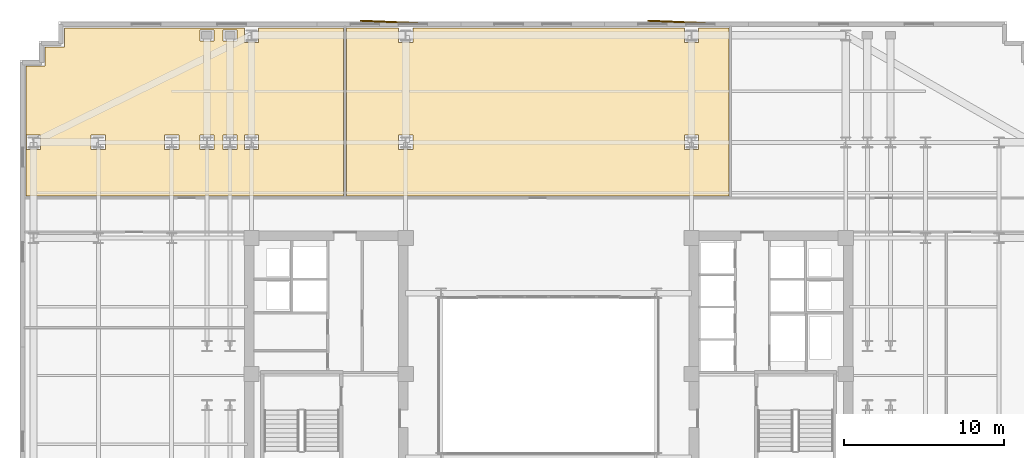
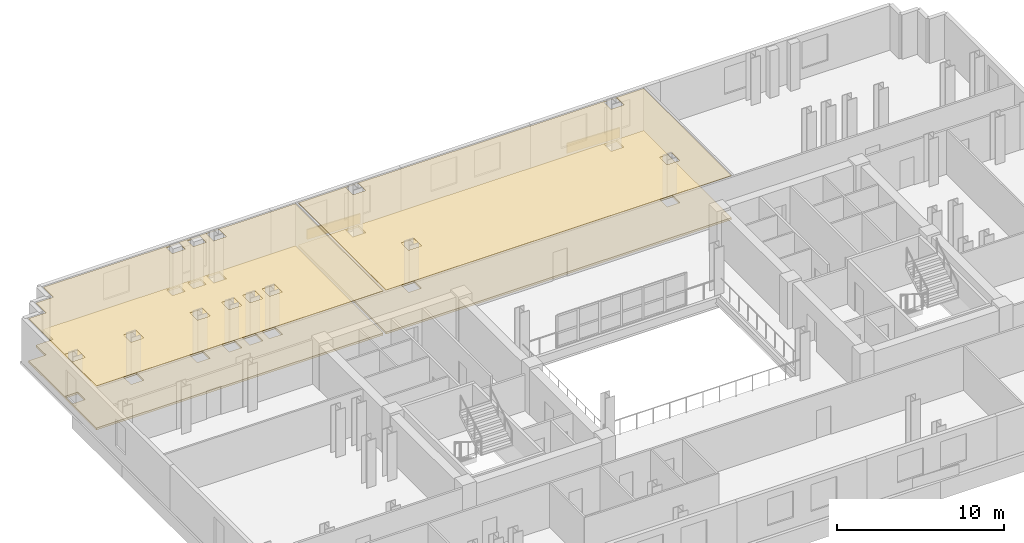
# One storey, part 12 of 12: 6 coverings.
"""IFC4 building model written with IfcOpenShell, lengths in metres."""

import ifcopenshell
import ifcopenshell.guid

model = None  # the IFC model being written
_history = None  # IfcOwnerHistory: only IFC2X3 demands one
_inside = {}  # id of a spatial element -> (the spatial element, [elements in it])
_under = {}  # id of a project, library or spatial element -> (it, [spatial elements below it])
_declared = {}  # id of a project -> (the project, [libraries it declares])
_typed = {}  # id of a type object -> (the type object, [elements of that type])
_made_of = {}  # id of a material, layer set ... -> (it, [elements and type objects made of it])


def new_model(schema):
    """Start an empty IFC model of exactly this schema.

    Asked for "IFC4X3", IfcOpenShell would pick the latest addendum, in which some entities
    have other attributes; the version numbers below select the first issue.
    IFC2X3 requires an IfcOwnerHistory on every rooted entity: one is made here for all.
    """
    global model, _history
    if schema == "IFC4X3":
        model = ifcopenshell.file(schema_version=(4, 3, 0, 0))
    else:
        model = ifcopenshell.file(schema=schema)
    _inside.clear()
    _under.clear()
    _declared.clear()
    _typed.clear()
    _made_of.clear()
    _history = None
    if model.schema == "IFC2X3":
        org = make("IfcOrganization", Name="unknown")
        user = make(
            "IfcPersonAndOrganization",
            ThePerson=make("IfcPerson", FamilyName="unknown"),
            TheOrganization=org,
        )
        app = make(
            "IfcApplication",
            ApplicationDeveloper=org,
            Version="unknown",
            ApplicationFullName="unknown",
            ApplicationIdentifier="unknown",
        )
        _history = make(
            "IfcOwnerHistory",
            OwningUser=user,
            OwningApplication=app,
            ChangeAction="ADDED",
            CreationDate=0,
        )
    return model


def make(cls, **values):
    """One entity of the class cls with the attributes given. An attribute that is None is left unset."""
    return model.create_entity(
        cls, **{name: value for name, value in values.items() if value is not None}
    )


def rooted(cls, **values):
    """An entity with a GlobalId (a new one), such as an element, a storey or a relation."""
    return make(cls, GlobalId=ifcopenshell.guid.new(), OwnerHistory=_history, **values)


def si_unit(unit_type, name, prefix=None):
    """IfcSIUnit, for example si_unit("LENGTHUNIT", "METRE", prefix="MILLI")."""
    return make("IfcSIUnit", UnitType=unit_type, Prefix=prefix, Name=name)


def assignment(units):
    """IfcUnitAssignment: the units of a project."""
    return None if units is None else make("IfcUnitAssignment", Units=units)


def point(xyz):
    """IfcCartesianPoint."""
    return None if xyz is None else make("IfcCartesianPoint", Coordinates=xyz)


def direction(xyz):
    """IfcDirection."""
    return None if xyz is None else make("IfcDirection", DirectionRatios=xyz)


def frame(location, z_axis=None, x_axis=None):
    """IfcAxis2Placement3D, a coordinate frame: its origin and axes. An axis left out is left unset."""
    return make(
        "IfcAxis2Placement3D",
        Location=point(location),
        Axis=direction(z_axis),
        RefDirection=direction(x_axis),
    )


def frame_2d(location, x_axis=None):
    """IfcAxis2Placement2D, a coordinate frame in the plane: its origin and x axis."""
    return make(
        "IfcAxis2Placement2D", Location=point(location), RefDirection=direction(x_axis)
    )


def origin():
    """The frame at (0, 0, 0) with its axes left unset."""
    return frame((0.0, 0.0, 0.0))


def origin_2d():
    """The frame at (0, 0) in the plane with its x axis left unset."""
    return frame_2d((0.0, 0.0))


def place(relative_to, where):
    """IfcLocalPlacement: puts the frame where relative to a parent placement (None: the world)."""
    return make(
        "IfcLocalPlacement", PlacementRelTo=relative_to, RelativePlacement=where
    )


def context(
    kind, dimensions, precision=None, world=None, true_north=None, identifier=None
):
    """IfcGeometricRepresentationContext, for example the 3D "Model" context."""
    return make(
        "IfcGeometricRepresentationContext",
        ContextIdentifier=identifier,
        ContextType=kind,
        CoordinateSpaceDimension=dimensions,
        Precision=precision,
        WorldCoordinateSystem=world,
        TrueNorth=true_north,
    )


def subcontext(parent, identifier, kind, view, scale=None):
    """IfcGeometricRepresentationSubContext, for example "Body" below "Model"."""
    return make(
        "IfcGeometricRepresentationSubContext",
        ContextIdentifier=identifier,
        ContextType=kind,
        ParentContext=parent,
        TargetScale=scale,
        TargetView=view,
    )


def project(units=None, contexts=None):
    """IfcProject with its units and contexts."""
    return rooted(
        "IfcProject",
        Name="project",
        RepresentationContexts=contexts,
        UnitsInContext=assignment(units),
    )


def spatial(cls, under=None, at=None, **own):
    """A site, building, storey or space (cls), placed at a placement, below another one or the project."""
    s = rooted(cls, ObjectPlacement=at, **own)
    if under is not None:
        _under.setdefault(under.id(), (under, []))[1].append(s)
    return s


def polyline(points):
    """IfcPolyline through the points."""
    return make("IfcPolyline", Points=[point(p) for p in points])


def profile(cls, at=None, kind="AREA", **sizes):
    """A parametric profile (cls). Its sizes go by their IFC names, for example OverallWidth=200.0."""
    return make(cls, ProfileType=kind, Position=at, **sizes)


def rectangle(**sizes):
    """IfcRectangleProfileDef."""
    return profile("IfcRectangleProfileDef", **sizes)


def outline(outer, holes=None, kind="AREA"):
    """IfcArbitraryClosedProfileDef: a profile drawn as a closed curve; with holes, ...WithVoids."""
    if holes is None:
        return make("IfcArbitraryClosedProfileDef", ProfileType=kind, OuterCurve=outer)
    return make(
        "IfcArbitraryProfileDefWithVoids",
        ProfileType=kind,
        OuterCurve=outer,
        InnerCurves=holes,
    )


def extrude(swept, where, along, depth):
    """IfcExtrudedAreaSolid: the profile swept, set in the frame where, extruded along a direction by depth."""
    return make(
        "IfcExtrudedAreaSolid",
        SweptArea=swept,
        Position=where,
        ExtrudedDirection=direction(along),
        Depth=depth,
    )


def shape(context_of_items, identifier, shape_type, items):
    """IfcShapeRepresentation: the items that make up one representation, for example the "Body"."""
    return make(
        "IfcShapeRepresentation",
        ContextOfItems=context_of_items,
        RepresentationIdentifier=identifier,
        RepresentationType=shape_type,
        Items=items,
    )


def material(Name=None, Category=None):
    """IfcMaterial."""
    return make("IfcMaterial", Name=Name, Category=Category)


def layer(
    of_material, thickness, ventilated=None, Name=None, Category=None, Priority=None
):
    """IfcMaterialLayer: one layer of a wall or slab, of a material (None: an air gap)."""
    return make(
        "IfcMaterialLayer",
        Material=of_material,
        LayerThickness=thickness,
        IsVentilated=ventilated,
        Name=Name,
        Category=Category,
        Priority=Priority,
    )


def layer_set(layers, Name=None):
    """IfcMaterialLayerSet."""
    return make("IfcMaterialLayerSet", MaterialLayers=layers, LayerSetName=Name)


def made_of(thing, what):
    """Note that an element or type object is made of a material, layer set ...; save() writes the relation."""
    if what is not None:
        _made_of.setdefault(what.id(), (what, []))[1].append(thing)
    return thing


def type_object(cls, material=None, **own):
    """A type object (cls), such as IfcWallType, which elements share."""
    return made_of(rooted(cls, **own), material)


def element(
    cls,
    number,
    at=None,
    inside=None,
    cuts=None,
    type_object=None,
    material=None,
    context=None,
    identifier="Body",
    shape_type=None,
    held_by="IfcProductDefinitionShape",
    body=None,
    shapes=None,
    **own,
):
    """One element of the class cls, such as IfcWall. Its Tag is "e" and its number.

    at: its placement. inside: the storey or other place that contains it. cuts: it is an
    opening in that element (IfcRelVoidsElement). A single representation is given by context,
    identifier, shape_type and body (its items); several are given by shapes. held_by: the class
    of the entity that holds the representations. save() writes the other relations.
    """
    e = rooted(cls, Tag="e%d" % number, ObjectPlacement=at, **own)
    if body is not None:
        shapes = [shape(context, identifier, shape_type, body)]
    if shapes is not None:
        e.Representation = make(held_by, Representations=shapes)
    if inside is not None:
        _inside.setdefault(inside.id(), (inside, []))[1].append(e)
    if cuts is not None:
        rooted(
            "IfcRelVoidsElement", RelatingBuildingElement=cuts, RelatedOpeningElement=e
        )
    if type_object is not None:
        _typed.setdefault(type_object.id(), (type_object, []))[1].append(e)
    return made_of(e, material)


def aggregate(whole, parts):
    """IfcRelAggregates: a whole, such as a stair, and the parts it consists of."""
    return rooted("IfcRelAggregates", RelatingObject=whole, RelatedObjects=parts)


def save(model, path):
    """Write the relations noted so far, then the file.

    IfcRelAggregates (storeys below a building ...), IfcRelContainedInSpatialStructure (elements
    in a storey), IfcRelDefinesByType, IfcRelAssociatesMaterial and IfcRelDeclares: one each for
    every whole, place, type object, material and project.
    """
    for whole, parts in _under.values():
        aggregate(whole, parts)
    for where, things in _inside.values():
        rooted(
            "IfcRelContainedInSpatialStructure",
            RelatedElements=things,
            RelatingStructure=where,
        )
    for kind, things in _typed.values():
        rooted("IfcRelDefinesByType", RelatedObjects=things, RelatingType=kind)
    for what, things in _made_of.values():
        rooted("IfcRelAssociatesMaterial", RelatedObjects=things, RelatingMaterial=what)
    for by, libraries in _declared.values():
        rooted("IfcRelDeclares", RelatingContext=by, RelatedDefinitions=libraries)
    model.write(path)


model = new_model("IFC4")

# Units and contexts
model_context = context("Model", 3, precision=1e-05, world=origin(), true_north=direction((0.0, 1.0)))
body_context = subcontext(model_context, "Body", "Model", "MODEL_VIEW")
ifc_project = project(units=[si_unit("LENGTHUNIT", "METRE"), si_unit("AREAUNIT", "SQUARE_METRE"), si_unit("VOLUMEUNIT", "CUBIC_METRE"), si_unit("PLANEANGLEUNIT", "RADIAN"), si_unit("MASSUNIT", "GRAM", prefix="KILO")], contexts=[model_context])

# Site, building, storey
site_placement = place(None, origin())
site = spatial("IfcSite", under=ifc_project, at=site_placement, CompositionType="ELEMENT")
building_placement = place(site_placement, origin())
building = spatial("IfcBuilding", under=site, at=building_placement, Name="Velakula Bourse", CompositionType="ELEMENT")
storey_placement = place(building_placement, frame((0.0, 0.0, 120.85009765625)))
storey = spatial("IfcBuildingStorey", under=building, at=storey_placement, Name="L32", CompositionType="ELEMENT", Elevation=120.85009765625)

# Coverings
ifc_material_1 = material(Name="Red kilned clay facing brick masonry", Category="masonry")
ifc_layer_1 = layer(ifc_material_1, 0.090087890625, Name="Red kilned clay facing brick masonry", Category="masonry")
ifc_layer_set_1 = layer_set([ifc_layer_1], Name="Red kilned clay facing brick masonry")
covering_type_1 = type_object("IfcCoveringType", Name="COV-BRK-FOLD-90", PredefinedType="CLADDING", material=ifc_layer_set_1)
for number, where, z_axis, x_axis, name in (
    (1, (-10.0, 22.139892578125, 0.0), (0.0, 0.0, 1.0), (0.999158993058, -0.041003738744, 0.0), "L32 Folded Brick Facade Cladding Panel N-B2"),
    (2, (8.0, 22.139892578125, 0.0), (0.0, 0.0, 1.0), (0.999158993058, -0.041003738744, 0.0), "L32 Folded Brick Facade Cladding Panel N-B4"),
):
    element("IfcCovering", number, at=place(storey_placement, frame(where, z_axis=z_axis, x_axis=x_axis)), inside=storey, type_object=covering_type_1, Name=name, PredefinedType="CLADDING", context=body_context, shape_type="SweptSolid", body=[
        extrude(rectangle(XDim=3.60009765625, YDim=0.090087890625, at=origin_2d()), origin(), (0.0, 0.0, 1.0), 0.719970703125),
    ])
ifc_material_2 = material(Name="Mineral-fibre acoustic suspended ceiling tile", Category="mineral")
ifc_layer_2 = layer(ifc_material_2, 0.0400390625, Name="Mineral-fibre acoustic suspended ceiling tile", Category="mineral")
ifc_layer_set_2 = layer_set([ifc_layer_2], Name="Mineral-fibre acoustic suspended ceiling tile")
covering_type_2 = type_object("IfcCoveringType", Name="COV-CEIL-AC-40", PredefinedType="CEILING", material=ifc_layer_set_2)
covering_1_placement = place(storey_placement, frame((0.0, 0.0, 3.199951171875)))
element("IfcCovering", 3, at=covering_1_placement, inside=storey, type_object=covering_type_2, Name="L32 Training Classroom Acoustic Suspended Ceiling", PredefinedType="CEILING", context=body_context, shape_type="SweptSolid", body=[
    extrude(outline(polyline([(11.285888671875, 11.22998046875), (-12.65087890625, 11.22998046875), (-12.65087890625, 21.77001953125), (11.285888671875, 21.77001953125), (11.285888671875, 11.22998046875)]), holes=[polyline([(8.5048828125, 15.044921875), (8.5048828125, 14.155029296875), (9.39501953125, 14.155029296875), (9.39501953125, 15.044921875), (8.5048828125, 15.044921875)]), polyline([(-9.39501953125, 14.155029296875), (-8.5048828125, 14.155029296875), (-8.5048828125, 15.044921875), (-9.39501953125, 15.044921875), (-9.39501953125, 14.155029296875)]), polyline([(8.5048828125, 20.85498046875), (9.39501953125, 20.85498046875), (9.39501953125, 21.7451171875), (8.5048828125, 21.7451171875), (8.5048828125, 20.85498046875)]), polyline([(-9.39501953125, 20.85498046875), (-8.5048828125, 20.85498046875), (-8.5048828125, 21.7451171875), (-9.39501953125, 21.7451171875), (-9.39501953125, 20.85498046875)])]), origin(), (0.0, 0.0, 1.0), 0.0400390625),
])
covering_2_placement = place(storey_placement, frame((0.0, 0.0, 3.199951171875)))
element("IfcCovering", 4, at=covering_2_placement, inside=storey, type_object=covering_type_2, Name="L32 Prime-Brokerage Dealing Workspace Acoustic Suspended Ceiling", PredefinedType="CEILING", context=body_context, shape_type="SweptSolid", body=[
    extrude(outline(polyline([(-31.52001953125, 20.570068359375), (-30.320068359375, 20.570068359375), (-30.320068359375, 21.77001953125), (-12.85107421875, 21.77001953125), (-12.85107421875, 11.22998046875), (-32.719970703125, 11.22998046875), (-32.719970703125, 19.3701171875), (-31.52001953125, 19.3701171875), (-31.52001953125, 20.570068359375)]), holes=[polyline([(-32.695068359375, 15.044921875), (-32.695068359375, 14.155029296875), (-31.804931640625, 14.155029296875), (-31.804931640625, 15.044921875), (-32.695068359375, 15.044921875)]), polyline([(-21.844970703125, 15.044921875), (-21.844970703125, 14.155029296875), (-20.955078125, 14.155029296875), (-20.955078125, 15.044921875), (-21.844970703125, 15.044921875)]), polyline([(-24.044921875, 14.155029296875), (-23.155029296875, 14.155029296875), (-23.155029296875, 15.044921875), (-24.044921875, 15.044921875), (-24.044921875, 14.155029296875)]), polyline([(-28.64501953125, 14.155029296875), (-27.7548828125, 14.155029296875), (-27.7548828125, 15.044921875), (-28.64501953125, 15.044921875), (-28.64501953125, 14.155029296875)]), polyline([(-20.39501953125, 14.155029296875), (-19.5048828125, 14.155029296875), (-19.5048828125, 15.044921875), (-20.39501953125, 15.044921875), (-20.39501953125, 14.155029296875)]), polyline([(-19.044921875, 15.044921875), (-19.044921875, 14.155029296875), (-18.155029296875, 14.155029296875), (-18.155029296875, 15.044921875), (-19.044921875, 15.044921875)]), polyline([(-21.844970703125, 21.64501953125), (-21.844970703125, 20.955078125), (-20.955078125, 20.955078125), (-20.955078125, 21.64501953125), (-21.844970703125, 21.64501953125)]), polyline([(-20.39501953125, 20.955078125), (-19.5048828125, 20.955078125), (-19.5048828125, 21.64501953125), (-20.39501953125, 21.64501953125), (-20.39501953125, 20.955078125)]), polyline([(-19.044921875, 20.85498046875), (-18.155029296875, 20.85498046875), (-18.155029296875, 21.7451171875), (-19.044921875, 21.7451171875), (-19.044921875, 20.85498046875)])]), origin(), (0.0, 0.0, 1.0), 0.0400390625),
])
ifc_material_3 = material(Name="Calcium-sulphate antistatic raised access flooring", Category="gypsum")
ifc_layer_3 = layer(ifc_material_3, 0.14990234375, Name="Calcium-sulphate antistatic raised access flooring", Category="gypsum")
ifc_layer_set_3 = layer_set([ifc_layer_3], Name="Calcium-sulphate antistatic raised access flooring")
covering_type_3 = type_object("IfcCoveringType", Name="COV-FLR-RAISED-150", PredefinedType="FLOORING", material=ifc_layer_set_3)
covering_3_placement = place(storey_placement, origin())
element("IfcCovering", 5, at=covering_3_placement, inside=storey, type_object=covering_type_3, Name="L32 Training Classroom Raised Trading Access Floor", PredefinedType="FLOORING", context=body_context, shape_type="SweptSolid", body=[
    extrude(outline(polyline([(11.285888671875, 11.22998046875), (-12.65087890625, 11.22998046875), (-12.65087890625, 21.77001953125), (11.285888671875, 21.77001953125), (11.285888671875, 11.22998046875)]), holes=[polyline([(8.5048828125, 15.044921875), (8.5048828125, 14.155029296875), (9.39501953125, 14.155029296875), (9.39501953125, 15.044921875), (8.5048828125, 15.044921875)]), polyline([(-9.39501953125, 14.155029296875), (-8.5048828125, 14.155029296875), (-8.5048828125, 15.044921875), (-9.39501953125, 15.044921875), (-9.39501953125, 14.155029296875)]), polyline([(8.5048828125, 20.85498046875), (9.39501953125, 20.85498046875), (9.39501953125, 21.7451171875), (8.5048828125, 21.7451171875), (8.5048828125, 20.85498046875)]), polyline([(-9.39501953125, 20.85498046875), (-8.5048828125, 20.85498046875), (-8.5048828125, 21.7451171875), (-9.39501953125, 21.7451171875), (-9.39501953125, 20.85498046875)])]), origin(), (0.0, 0.0, 1.0), 0.14990234375),
])
covering_4_placement = place(storey_placement, origin())
element("IfcCovering", 6, at=covering_4_placement, inside=storey, type_object=covering_type_3, Name="L32 Prime-Brokerage Dealing Workspace Raised Trading Access Floor", PredefinedType="FLOORING", context=body_context, shape_type="SweptSolid", body=[
    extrude(outline(polyline([(-31.52001953125, 20.570068359375), (-30.320068359375, 20.570068359375), (-30.320068359375, 21.77001953125), (-12.85107421875, 21.77001953125), (-12.85107421875, 11.22998046875), (-32.719970703125, 11.22998046875), (-32.719970703125, 19.3701171875), (-31.52001953125, 19.3701171875), (-31.52001953125, 20.570068359375)]), holes=[polyline([(-32.695068359375, 15.044921875), (-32.695068359375, 14.155029296875), (-31.804931640625, 14.155029296875), (-31.804931640625, 15.044921875), (-32.695068359375, 15.044921875)]), polyline([(-21.844970703125, 15.044921875), (-21.844970703125, 14.155029296875), (-20.955078125, 14.155029296875), (-20.955078125, 15.044921875), (-21.844970703125, 15.044921875)]), polyline([(-24.044921875, 14.155029296875), (-23.155029296875, 14.155029296875), (-23.155029296875, 15.044921875), (-24.044921875, 15.044921875), (-24.044921875, 14.155029296875)]), polyline([(-28.64501953125, 14.155029296875), (-27.7548828125, 14.155029296875), (-27.7548828125, 15.044921875), (-28.64501953125, 15.044921875), (-28.64501953125, 14.155029296875)]), polyline([(-20.39501953125, 14.155029296875), (-19.5048828125, 14.155029296875), (-19.5048828125, 15.044921875), (-20.39501953125, 15.044921875), (-20.39501953125, 14.155029296875)]), polyline([(-19.044921875, 15.044921875), (-19.044921875, 14.155029296875), (-18.155029296875, 14.155029296875), (-18.155029296875, 15.044921875), (-19.044921875, 15.044921875)]), polyline([(-21.844970703125, 21.64501953125), (-21.844970703125, 20.955078125), (-20.955078125, 20.955078125), (-20.955078125, 21.64501953125), (-21.844970703125, 21.64501953125)]), polyline([(-20.39501953125, 20.955078125), (-19.5048828125, 20.955078125), (-19.5048828125, 21.64501953125), (-20.39501953125, 21.64501953125), (-20.39501953125, 20.955078125)]), polyline([(-19.044921875, 20.85498046875), (-18.155029296875, 20.85498046875), (-18.155029296875, 21.7451171875), (-19.044921875, 21.7451171875), (-19.044921875, 20.85498046875)])]), origin(), (0.0, 0.0, 1.0), 0.14990234375),
])

save(model, "model.ifc")
